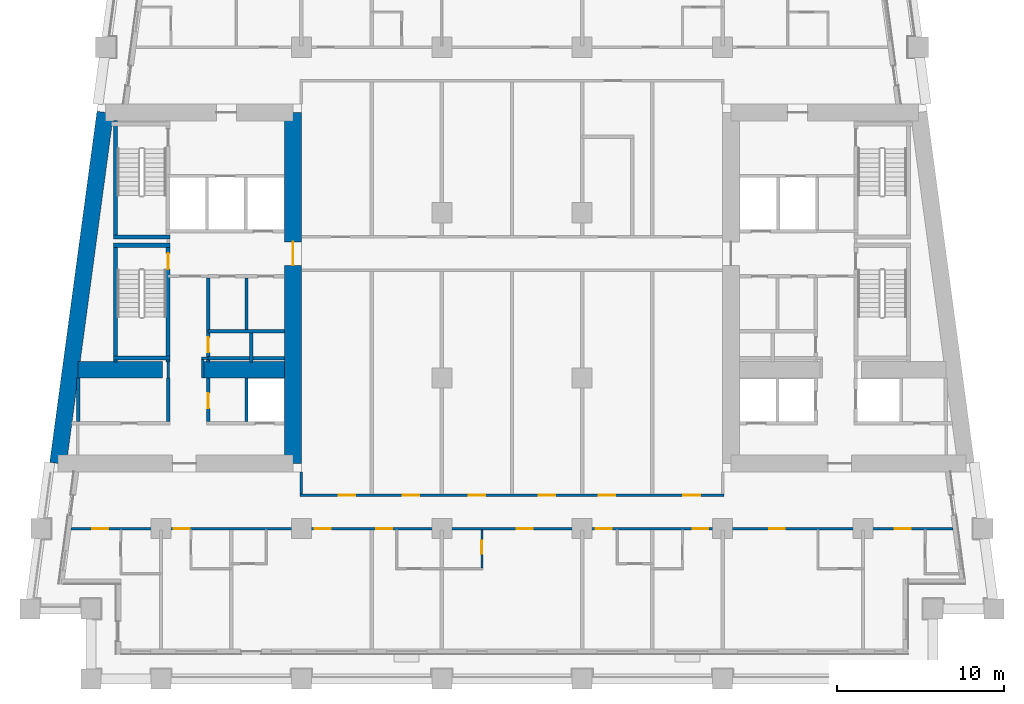
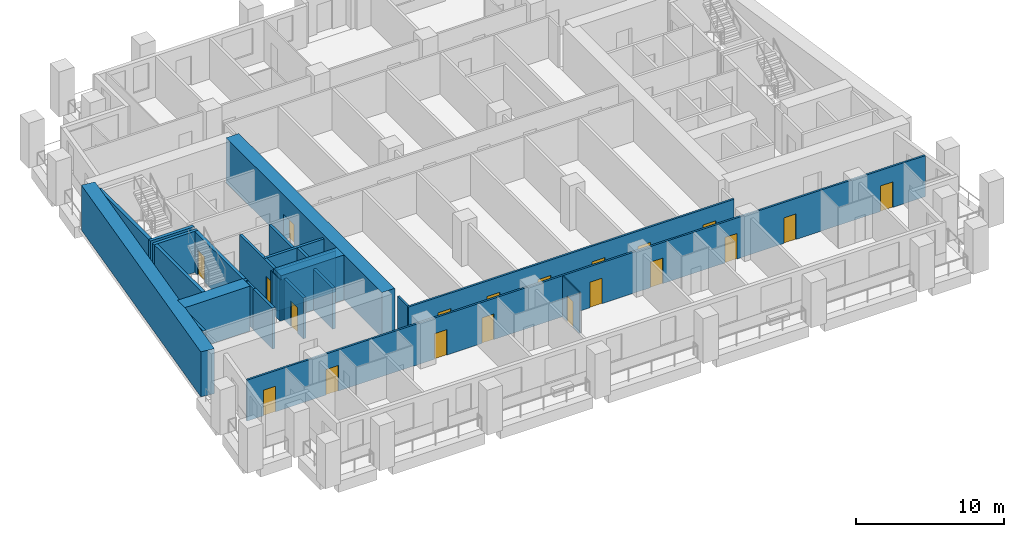
# One storey, part 3 of 13: 26 walls, 20 doors, 20 openings.
"""IFC4 building model written with IfcOpenShell, lengths in metres."""

from ifc_helpers import new_model, si_unit, direction, frame, frame_2d, origin, place, context, subcontext, project, spatial, rectangle, extrude, material, layer, layer_set, type_object, element, fill, save


model = new_model("IFC4")

# Units and contexts
model_context = context("Model", 3, precision=1e-05, world=origin(), true_north=direction((0.0, 1.0)))
body_context = subcontext(model_context, "Body", "Model", "MODEL_VIEW")
ifc_project = project(units=[si_unit("LENGTHUNIT", "METRE"), si_unit("AREAUNIT", "SQUARE_METRE"), si_unit("VOLUMEUNIT", "CUBIC_METRE"), si_unit("PLANEANGLEUNIT", "RADIAN"), si_unit("MASSUNIT", "GRAM", prefix="KILO")], contexts=[model_context])

# Site, building, storey
site_placement = place(None, origin())
site = spatial("IfcSite", under=ifc_project, at=site_placement, CompositionType="ELEMENT")
building_placement = place(site_placement, origin())
building = spatial("IfcBuilding", under=site, at=building_placement, Name="Candeia Pilgrim Tower and Theatre", CompositionType="ELEMENT")
storey_placement = place(building_placement, frame((0.0, 0.0, 102.10009765625)))
storey = spatial("IfcBuildingStorey", under=building, at=storey_placement, Name="L23", CompositionType="ELEMENT", Elevation=102.10009765625)

# Wall, opening, door
ifc_material_1 = material(Name="Concrete C70/85", Category="concrete")
ifc_layer_1 = layer(ifc_material_1, 1.0)
ifc_layer_set_1 = layer_set([ifc_layer_1], Name="Core wall 1000 C70/85")
wall_type_1 = type_object("IfcWallType", Name="Core wall 1000 C70/85", PredefinedType="SHEAR", material=ifc_layer_set_1)
wall_1_placement = place(storey_placement, frame((100.300048828125, 131.89990234375, 0.0), z_axis=(0.0, 0.0, 1.0), x_axis=(0.0, -1.0, 0.0)))
wall_1 = element("IfcWall", 1, at=wall_1_placement, inside=storey, type_object=wall_type_1, Name="Core wall W2", PredefinedType="SHEAR", context=body_context, shape_type="SweptSolid", body=[
    extrude(rectangle(XDim=21.0, YDim=1.0, at=frame_2d((10.5, 0.0))), origin(), (0.0, 0.0, 1.0), 3.699951171875),
])
opening_1_placement = place(wall_1_placement, frame((7.75, 0.0, 0.0)))
opening_1 = element("IfcOpeningElement", 2, at=opening_1_placement, cuts=wall_1, Name="Opening L23-D061", PredefinedType="OPENING", context=body_context, shape_type="SweptSolid", body=[
    extrude(rectangle(XDim=1.39990234375, YDim=2.10009765625, at=frame_2d((0.699951171875, 1.050048828125))), frame((0.0, 0.510009765625, 0.0), z_axis=(0.0, -1.0, 0.0), x_axis=(1.0, 0.0, 0.0)), (0.0, 0.0, 1.0), 1.02001953125),
])
ifc_material_2 = material(Name="Steel fire door set", Category="steel")
door_type_1 = type_object("IfcDoorType", Name="D-1400-FD60", OperationType="NOTDEFINED", PredefinedType="DOOR", material=ifc_material_2)
door_1_placement = place(opening_1_placement, origin())
door_1 = element("IfcDoor", 3, at=door_1_placement, inside=storey, type_object=door_type_1, Name="Door L23-D061", OperationType="SINGLE_SWING_RIGHT", OverallHeight=2.10009765625, OverallWidth=1.39990234375, PredefinedType="DOOR", context=body_context, shape_type="SweptSolid", body=[
    extrude(rectangle(XDim=1.39990234375, YDim=2.10009765625, at=frame_2d((0.699951171875, 1.050048828125))), frame((0.0, 0.02490234375, 0.0), z_axis=(0.0, -1.0, 0.0), x_axis=(1.0, 0.0, 0.0)), (0.0, 0.0, 1.0), 0.050048828125),
])
fill(opening_1, door_1)

# Walls
wall_2_placement = place(storey_placement, frame((86.240966796875, 110.89990234375, 0.0), z_axis=(0.0, 0.0, 1.0), x_axis=(0.133411141623, 0.991060778808, 0.0)))
element("IfcWall", 4, at=wall_2_placement, inside=storey, type_object=wall_type_1, Name="Core wall W4", PredefinedType="SHEAR", context=body_context, shape_type="SweptSolid", body=[
    extrude(rectangle(XDim=21.189453125, YDim=1.0, at=frame_2d((10.5947265625, 0.0))), origin(), (0.0, 0.0, 1.0), 3.699951171875),
])
wall_3_placement = place(storey_placement, frame((87.423095703125, 116.5, 0.0), z_axis=(0.0, 0.0, 1.0), x_axis=(1.0, 0.0, 0.0)))
element("IfcWall", 5, at=wall_3_placement, inside=storey, type_object=wall_type_1, Name="Core wall W5", PredefinedType="SHEAR", context=body_context, shape_type="SweptSolid", body=[
    extrude(rectangle(XDim=5.076904296875, YDim=1.0, at=frame_2d((2.53857421875, 0.0))), origin(), (0.0, 0.0, 1.0), 3.699951171875),
])
wall_4_placement = place(storey_placement, frame((94.89990234375, 116.5, 0.0), z_axis=(0.0, 0.0, 1.0), x_axis=(1.0, 0.0, 0.0)))
element("IfcWall", 6, at=wall_4_placement, inside=storey, type_object=wall_type_1, Name="Core wall W6", PredefinedType="SHEAR", context=body_context, shape_type="SweptSolid", body=[
    extrude(rectangle(XDim=4.900146484375, YDim=1.0, at=frame_2d((2.4501953125, 0.0))), origin(), (0.0, 0.0, 1.0), 3.699951171875),
])

# Wall, opening, door
ifc_material_3 = material(Name="Gypsum board partition on steel studs", Category="steel")
ifc_layer_2 = layer(ifc_material_3, 0.10009765625)
ifc_layer_set_2 = layer_set([ifc_layer_2], Name="PW-100 room partition")
wall_type_2 = type_object("IfcWallType", Name="PW-100 room partition", PredefinedType="PARTITIONING", material=ifc_layer_set_2)
wall_5_placement = place(storey_placement, frame((111.60009765625, 104.64990234375, 0.0), z_axis=(0.0, 0.0, 1.0), x_axis=(0.0, 1.0, 0.0)))
wall_5 = element("IfcWall", 7, at=wall_5_placement, inside=storey, type_object=wall_type_2, Name="Room partition L23-085", PredefinedType="PARTITIONING", context=body_context, shape_type="SweptSolid", body=[
    extrude(rectangle(XDim=2.275146484375, YDim=0.10009765625, at=frame_2d((1.1376953125, 0.0))), origin(), (0.0, 0.0, 1.0), 3.3798828125),
])
opening_2_placement = place(wall_5_placement, frame((0.840087890625, 0.0, 0.0)))
opening_2 = element("IfcOpeningElement", 8, at=opening_2_placement, cuts=wall_5, Name="Opening L23-D025", PredefinedType="OPENING", context=body_context, shape_type="SweptSolid", body=[
    extrude(rectangle(XDim=0.800048828125, YDim=2.10009765625, at=frame_2d((0.39990234375, 1.050048828125))), frame((0.0, 0.06005859375, 0.0), z_axis=(0.0, -1.0, 0.0), x_axis=(1.0, 0.0, 0.0)), (0.0, 0.0, 1.0), 0.1201171875),
])
ifc_material_4 = material(Name="Timber door leaf", Category="wood")
door_type_2 = type_object("IfcDoorType", Name="D-800", OperationType="NOTDEFINED", PredefinedType="DOOR", material=ifc_material_4)
door_2_placement = place(opening_2_placement, origin())
door_2 = element("IfcDoor", 9, at=door_2_placement, inside=storey, type_object=door_type_2, Name="Door L23-D025", OperationType="SINGLE_SWING_RIGHT", OverallHeight=2.10009765625, OverallWidth=0.800048828125, PredefinedType="DOOR", context=body_context, shape_type="SweptSolid", body=[
    extrude(rectangle(XDim=0.800048828125, YDim=2.10009765625, at=frame_2d((0.39990234375, 1.050048828125))), frame((0.0, 0.02490234375, 0.0), z_axis=(0.0, -1.0, 0.0), x_axis=(1.0, 0.0, 0.0)), (0.0, 0.0, 1.0), 0.050048828125),
])
fill(opening_2, door_2)

# Walls
ifc_layer_3 = layer(ifc_material_3, 0.14990234375)
ifc_layer_set_3 = layer_set([ifc_layer_3], Name="PW-150 lobby wall")
wall_type_3 = type_object("IfcWallType", Name="PW-150 lobby wall", PredefinedType="PARTITIONING", material=ifc_layer_set_3)
wall_6_placement = place(storey_placement, frame((94.824951171875, 117.199951171875, 0.0), z_axis=(0.0, 0.0, 1.0), x_axis=(1.0, 0.0, 0.0)))
element("IfcWall", 10, at=wall_6_placement, inside=storey, type_object=wall_type_3, Name="Lobby wall L23-017", PredefinedType="PARTITIONING", context=body_context, shape_type="SweptSolid", body=[
    extrude(rectangle(XDim=0.402099609375, YDim=0.14990234375, at=frame_2d((0.201171875, 0.0))), origin(), (0.0, 0.0, 1.0), 3.3798828125),
])
wall_7_placement = place(storey_placement, frame((92.826904296875, 116.0, 0.0), z_axis=(0.0, 0.0, 1.0), x_axis=(0.0, 1.0, 0.0)))
element("IfcWall", 11, at=wall_7_placement, inside=storey, type_object=wall_type_3, Name="Lobby wall L23-055", PredefinedType="PARTITIONING", context=body_context, shape_type="SweptSolid", body=[
    extrude(rectangle(XDim=0.969970703125, YDim=0.14990234375, at=frame_2d((0.48486328125, 0.0))), origin(), (0.0, 0.0, 1.0), 3.3798828125),
])
wall_8_placement = place(storey_placement, frame((94.89990234375, 116.0, 0.0), z_axis=(0.0, 0.0, 1.0), x_axis=(0.0, 1.0, 0.0)))
element("IfcWall", 12, at=wall_8_placement, inside=storey, type_object=wall_type_3, Name="Lobby wall L23-061", PredefinedType="PARTITIONING", context=body_context, shape_type="SweptSolid", body=[
    extrude(rectangle(XDim=1.125, YDim=0.14990234375, at=frame_2d((0.5625, 0.0))), origin(), (0.0, 0.0, 1.0), 3.3798828125),
])

# Wall, openings, doors
ifc_layer_4 = layer(ifc_material_3, 0.14990234375)
ifc_layer_set_4 = layer_set([ifc_layer_4], Name="PW-150 unit wall")
wall_type_4 = type_object("IfcWallType", Name="PW-150 unit wall", PredefinedType="PARTITIONING", material=ifc_layer_set_4)
wall_9_placement = place(storey_placement, frame((87.017578125, 107.0, 0.0), z_axis=(0.0, 0.0, 1.0), x_axis=(1.0, 0.0, 0.0)))
wall_9 = element("IfcWall", 13, at=wall_9_placement, inside=storey, type_object=wall_type_4, Name="Unit wall L23-009", PredefinedType="PARTITIONING", context=body_context, shape_type="SweptSolid", body=[
    extrude(rectangle(XDim=52.7646484375, YDim=0.14990234375, at=frame_2d((26.38232421875, 0.0))), origin(), (0.0, 0.0, 1.0), 3.3798828125),
])
opening_3_placement = place(wall_9_placement, frame((1.2763671875, 0.0, 0.0)))
opening_3 = element("IfcOpeningElement", 14, at=opening_3_placement, cuts=wall_9, Name="Opening L23-D016", PredefinedType="OPENING", context=body_context, shape_type="SweptSolid", body=[
    extrude(rectangle(XDim=0.949951171875, YDim=2.10009765625, at=frame_2d((0.47509765625, 1.050048828125))), frame((0.0, 0.0849609375, 0.0), z_axis=(0.0, -1.0, 0.0), x_axis=(1.0, 0.0, 0.0)), (0.0, 0.0, 1.0), 0.169921875),
])
opening_4_placement = place(wall_9_placement, frame((6.15234375, 0.0, 0.0)))
opening_4 = element("IfcOpeningElement", 15, at=opening_4_placement, cuts=wall_9, Name="Opening L23-D018", PredefinedType="OPENING", context=body_context, shape_type="SweptSolid", body=[
    extrude(rectangle(XDim=0.949951171875, YDim=2.10009765625, at=frame_2d((0.47509765625, 1.050048828125))), frame((0.0, 0.0849609375, 0.0), z_axis=(0.0, -1.0, 0.0), x_axis=(1.0, 0.0, 0.0)), (0.0, 0.0, 1.0), 0.169921875),
])
opening_5_placement = place(wall_9_placement, frame((14.59033203125, 0.0, 0.0)))
opening_5 = element("IfcOpeningElement", 16, at=opening_5_placement, cuts=wall_9, Name="Opening L23-D020", PredefinedType="OPENING", context=body_context, shape_type="SweptSolid", body=[
    extrude(rectangle(XDim=0.949951171875, YDim=2.10009765625, at=frame_2d((0.47509765625, 1.050048828125))), frame((0.0, 0.0849609375, 0.0), z_axis=(0.0, -1.0, 0.0), x_axis=(1.0, 0.0, 0.0)), (0.0, 0.0, 1.0), 0.169921875),
])
opening_6_placement = place(wall_9_placement, frame((18.25732421875, 0.0, 0.0)))
opening_6 = element("IfcOpeningElement", 17, at=opening_6_placement, cuts=wall_9, Name="Opening L23-D022", PredefinedType="OPENING", context=body_context, shape_type="SweptSolid", body=[
    extrude(rectangle(XDim=0.949951171875, YDim=2.10009765625, at=frame_2d((0.47509765625, 1.050048828125))), frame((0.0, 0.0849609375, 0.0), z_axis=(0.0, -1.0, 0.0), x_axis=(1.0, 0.0, 0.0)), (0.0, 0.0, 1.0), 0.169921875),
])
opening_7_placement = place(wall_9_placement, frame((26.67236328125, 0.0, 0.0)))
opening_7 = element("IfcOpeningElement", 18, at=opening_7_placement, cuts=wall_9, Name="Opening L23-D024", PredefinedType="OPENING", context=body_context, shape_type="SweptSolid", body=[
    extrude(rectangle(XDim=0.949951171875, YDim=2.10009765625, at=frame_2d((0.47509765625, 1.050048828125))), frame((0.0, 0.0849609375, 0.0), z_axis=(0.0, -1.0, 0.0), x_axis=(1.0, 0.0, 0.0)), (0.0, 0.0, 1.0), 0.169921875),
])
opening_8_placement = place(wall_9_placement, frame((31.392333984375, 0.0, 0.0)))
opening_8 = element("IfcOpeningElement", 19, at=opening_8_placement, cuts=wall_9, Name="Opening L23-D026", PredefinedType="OPENING", context=body_context, shape_type="SweptSolid", body=[
    extrude(rectangle(XDim=0.949951171875, YDim=2.10009765625, at=frame_2d((0.47509765625, 1.050048828125))), frame((0.0, 0.0849609375, 0.0), z_axis=(0.0, -1.0, 0.0), x_axis=(1.0, 0.0, 0.0)), (0.0, 0.0, 1.0), 0.169921875),
])
opening_9_placement = place(wall_9_placement, frame((37.182373046875, 0.0, 0.0)))
opening_9 = element("IfcOpeningElement", 20, at=opening_9_placement, cuts=wall_9, Name="Opening L23-D028", PredefinedType="OPENING", context=body_context, shape_type="SweptSolid", body=[
    extrude(rectangle(XDim=0.949951171875, YDim=2.10009765625, at=frame_2d((0.47509765625, 1.050048828125))), frame((0.0, 0.0849609375, 0.0), z_axis=(0.0, -1.0, 0.0), x_axis=(1.0, 0.0, 0.0)), (0.0, 0.0, 1.0), 0.169921875),
])
opening_10_placement = place(wall_9_placement, frame((41.76220703125, 0.0, 0.0)))
opening_10 = element("IfcOpeningElement", 21, at=opening_10_placement, cuts=wall_9, Name="Opening L23-D030", PredefinedType="OPENING", context=body_context, shape_type="SweptSolid", body=[
    extrude(rectangle(XDim=0.949951171875, YDim=2.10009765625, at=frame_2d((0.47509765625, 1.050048828125))), frame((0.0, 0.0849609375, 0.0), z_axis=(0.0, -1.0, 0.0), x_axis=(1.0, 0.0, 0.0)), (0.0, 0.0, 1.0), 0.169921875),
])
opening_11_placement = place(wall_9_placement, frame((49.285400390625, 0.0, 0.0)))
opening_11 = element("IfcOpeningElement", 22, at=opening_11_placement, cuts=wall_9, Name="Opening L23-D032", PredefinedType="OPENING", context=body_context, shape_type="SweptSolid", body=[
    extrude(rectangle(XDim=0.949951171875, YDim=2.10009765625, at=frame_2d((0.47509765625, 1.050048828125))), frame((0.0, 0.0849609375, 0.0), z_axis=(0.0, -1.0, 0.0), x_axis=(1.0, 0.0, 0.0)), (0.0, 0.0, 1.0), 0.169921875),
])
door_type_3 = type_object("IfcDoorType", Name="D-950-FD30S", OperationType="NOTDEFINED", PredefinedType="DOOR", material=ifc_material_2)
door_3_placement = place(opening_3_placement, origin())
door_3 = element("IfcDoor", 23, at=door_3_placement, inside=storey, type_object=door_type_3, Name="Door L23-D016", OperationType="SINGLE_SWING_LEFT", OverallHeight=2.10009765625, OverallWidth=0.949951171875, PredefinedType="DOOR", context=body_context, shape_type="SweptSolid", body=[
    extrude(rectangle(XDim=0.949951171875, YDim=2.10009765625, at=frame_2d((0.47509765625, 1.050048828125))), frame((0.0, 0.02490234375, 0.0), z_axis=(0.0, -1.0, 0.0), x_axis=(1.0, 0.0, 0.0)), (0.0, 0.0, 1.0), 0.050048828125),
])
fill(opening_3, door_3)
door_4_placement = place(opening_4_placement, origin())
door_4 = element("IfcDoor", 24, at=door_4_placement, inside=storey, type_object=door_type_3, Name="Door L23-D018", OperationType="SINGLE_SWING_LEFT", OverallHeight=2.10009765625, OverallWidth=0.949951171875, PredefinedType="DOOR", context=body_context, shape_type="SweptSolid", body=[
    extrude(rectangle(XDim=0.949951171875, YDim=2.10009765625, at=frame_2d((0.47509765625, 1.050048828125))), frame((0.0, 0.02490234375, 0.0), z_axis=(0.0, -1.0, 0.0), x_axis=(1.0, 0.0, 0.0)), (0.0, 0.0, 1.0), 0.050048828125),
])
fill(opening_4, door_4)
door_5_placement = place(opening_5_placement, origin())
door_5 = element("IfcDoor", 25, at=door_5_placement, inside=storey, type_object=door_type_3, Name="Door L23-D020", OperationType="SINGLE_SWING_LEFT", OverallHeight=2.10009765625, OverallWidth=0.949951171875, PredefinedType="DOOR", context=body_context, shape_type="SweptSolid", body=[
    extrude(rectangle(XDim=0.949951171875, YDim=2.10009765625, at=frame_2d((0.47509765625, 1.050048828125))), frame((0.0, 0.02490234375, 0.0), z_axis=(0.0, -1.0, 0.0), x_axis=(1.0, 0.0, 0.0)), (0.0, 0.0, 1.0), 0.050048828125),
])
fill(opening_5, door_5)
door_6_placement = place(opening_6_placement, origin())
door_6 = element("IfcDoor", 26, at=door_6_placement, inside=storey, type_object=door_type_3, Name="Door L23-D022", OperationType="SINGLE_SWING_LEFT", OverallHeight=2.10009765625, OverallWidth=0.949951171875, PredefinedType="DOOR", context=body_context, shape_type="SweptSolid", body=[
    extrude(rectangle(XDim=0.949951171875, YDim=2.10009765625, at=frame_2d((0.47509765625, 1.050048828125))), frame((0.0, 0.02490234375, 0.0), z_axis=(0.0, -1.0, 0.0), x_axis=(1.0, 0.0, 0.0)), (0.0, 0.0, 1.0), 0.050048828125),
])
fill(opening_6, door_6)
door_7_placement = place(opening_7_placement, origin())
door_7 = element("IfcDoor", 27, at=door_7_placement, inside=storey, type_object=door_type_3, Name="Door L23-D024", OperationType="SINGLE_SWING_LEFT", OverallHeight=2.10009765625, OverallWidth=0.949951171875, PredefinedType="DOOR", context=body_context, shape_type="SweptSolid", body=[
    extrude(rectangle(XDim=0.949951171875, YDim=2.10009765625, at=frame_2d((0.47509765625, 1.050048828125))), frame((0.0, 0.02490234375, 0.0), z_axis=(0.0, -1.0, 0.0), x_axis=(1.0, 0.0, 0.0)), (0.0, 0.0, 1.0), 0.050048828125),
])
fill(opening_7, door_7)
door_8_placement = place(opening_8_placement, origin())
door_8 = element("IfcDoor", 28, at=door_8_placement, inside=storey, type_object=door_type_3, Name="Door L23-D026", OperationType="SINGLE_SWING_LEFT", OverallHeight=2.10009765625, OverallWidth=0.949951171875, PredefinedType="DOOR", context=body_context, shape_type="SweptSolid", body=[
    extrude(rectangle(XDim=0.949951171875, YDim=2.10009765625, at=frame_2d((0.47509765625, 1.050048828125))), frame((0.0, 0.02490234375, 0.0), z_axis=(0.0, -1.0, 0.0), x_axis=(1.0, 0.0, 0.0)), (0.0, 0.0, 1.0), 0.050048828125),
])
fill(opening_8, door_8)
door_9_placement = place(opening_9_placement, origin())
door_9 = element("IfcDoor", 29, at=door_9_placement, inside=storey, type_object=door_type_3, Name="Door L23-D028", OperationType="SINGLE_SWING_LEFT", OverallHeight=2.10009765625, OverallWidth=0.949951171875, PredefinedType="DOOR", context=body_context, shape_type="SweptSolid", body=[
    extrude(rectangle(XDim=0.949951171875, YDim=2.10009765625, at=frame_2d((0.47509765625, 1.050048828125))), frame((0.0, 0.02490234375, 0.0), z_axis=(0.0, -1.0, 0.0), x_axis=(1.0, 0.0, 0.0)), (0.0, 0.0, 1.0), 0.050048828125),
])
fill(opening_9, door_9)
door_10_placement = place(opening_10_placement, origin())
door_10 = element("IfcDoor", 30, at=door_10_placement, inside=storey, type_object=door_type_3, Name="Door L23-D030", OperationType="SINGLE_SWING_LEFT", OverallHeight=2.10009765625, OverallWidth=0.949951171875, PredefinedType="DOOR", context=body_context, shape_type="SweptSolid", body=[
    extrude(rectangle(XDim=0.949951171875, YDim=2.10009765625, at=frame_2d((0.47509765625, 1.050048828125))), frame((0.0, 0.02490234375, 0.0), z_axis=(0.0, -1.0, 0.0), x_axis=(1.0, 0.0, 0.0)), (0.0, 0.0, 1.0), 0.050048828125),
])
fill(opening_10, door_10)
door_11_placement = place(opening_11_placement, origin())
door_11 = element("IfcDoor", 31, at=door_11_placement, inside=storey, type_object=door_type_3, Name="Door L23-D032", OperationType="SINGLE_SWING_LEFT", OverallHeight=2.10009765625, OverallWidth=0.949951171875, PredefinedType="DOOR", context=body_context, shape_type="SweptSolid", body=[
    extrude(rectangle(XDim=0.949951171875, YDim=2.10009765625, at=frame_2d((0.47509765625, 1.050048828125))), frame((0.0, 0.02490234375, 0.0), z_axis=(0.0, -1.0, 0.0), x_axis=(1.0, 0.0, 0.0)), (0.0, 0.0, 1.0), 0.050048828125),
])
fill(opening_11, door_11)

wall_10_placement = place(storey_placement, frame((100.72509765625, 109.0, 0.0), z_axis=(0.0, 0.0, 1.0), x_axis=(1.0, 0.0, 0.0)))
wall_10 = element("IfcWall", 32, at=wall_10_placement, inside=storey, type_object=wall_type_4, Name="Unit wall L23-010", PredefinedType="PARTITIONING", context=body_context, shape_type="SweptSolid", body=[
    extrude(rectangle(XDim=25.349853515625, YDim=0.14990234375, at=frame_2d((12.6748046875, 0.0))), origin(), (0.0, 0.0, 1.0), 3.3798828125),
])
opening_12_placement = place(wall_10_placement, frame((2.300048828125, 0.0, 0.0)))
opening_12 = element("IfcOpeningElement", 33, at=opening_12_placement, cuts=wall_10, Name="Opening L23-D047", PredefinedType="OPENING", context=body_context, shape_type="SweptSolid", body=[
    extrude(rectangle(XDim=1.0, YDim=2.10009765625, at=frame_2d((0.5, 1.050048828125))), frame((0.0, 0.0849609375, 0.0), z_axis=(0.0, -1.0, 0.0), x_axis=(1.0, 0.0, 0.0)), (0.0, 0.0, 1.0), 0.169921875),
])
opening_13_placement = place(wall_10_placement, frame((6.125, 0.0, 0.0)))
opening_13 = element("IfcOpeningElement", 34, at=opening_13_placement, cuts=wall_10, Name="Opening L23-D048", PredefinedType="OPENING", context=body_context, shape_type="SweptSolid", body=[
    extrude(rectangle(XDim=1.0, YDim=2.10009765625, at=frame_2d((0.5, 1.050048828125))), frame((0.0, 0.0849609375, 0.0), z_axis=(0.0, -1.0, 0.0), x_axis=(1.0, 0.0, 0.0)), (0.0, 0.0, 1.0), 0.169921875),
])
opening_14_placement = place(wall_10_placement, frame((10.074951171875, 0.0, 0.0)))
opening_14 = element("IfcOpeningElement", 35, at=opening_14_placement, cuts=wall_10, Name="Opening L23-D049", PredefinedType="OPENING", context=body_context, shape_type="SweptSolid", body=[
    extrude(rectangle(XDim=1.0, YDim=2.10009765625, at=frame_2d((0.5, 1.050048828125))), frame((0.0, 0.0849609375, 0.0), z_axis=(0.0, -1.0, 0.0), x_axis=(1.0, 0.0, 0.0)), (0.0, 0.0, 1.0), 0.169921875),
])
opening_15_placement = place(wall_10_placement, frame((14.27490234375, 0.0, 0.0)))
opening_15 = element("IfcOpeningElement", 36, at=opening_15_placement, cuts=wall_10, Name="Opening L23-D050", PredefinedType="OPENING", context=body_context, shape_type="SweptSolid", body=[
    extrude(rectangle(XDim=1.0, YDim=2.10009765625, at=frame_2d((0.5, 1.050048828125))), frame((0.0, 0.0849609375, 0.0), z_axis=(0.0, -1.0, 0.0), x_axis=(1.0, 0.0, 0.0)), (0.0, 0.0, 1.0), 0.169921875),
])
opening_16_placement = place(wall_10_placement, frame((17.85009765625, 0.0, 0.0)))
opening_16 = element("IfcOpeningElement", 37, at=opening_16_placement, cuts=wall_10, Name="Opening L23-D051", PredefinedType="OPENING", context=body_context, shape_type="SweptSolid", body=[
    extrude(rectangle(XDim=1.0, YDim=2.10009765625, at=frame_2d((0.5, 1.050048828125))), frame((0.0, 0.0849609375, 0.0), z_axis=(0.0, -1.0, 0.0), x_axis=(1.0, 0.0, 0.0)), (0.0, 0.0, 1.0), 0.169921875),
])
opening_17_placement = place(wall_10_placement, frame((22.925048828125, 0.0, 0.0)))
opening_17 = element("IfcOpeningElement", 38, at=opening_17_placement, cuts=wall_10, Name="Opening L23-D052", PredefinedType="OPENING", context=body_context, shape_type="SweptSolid", body=[
    extrude(rectangle(XDim=1.0, YDim=2.10009765625, at=frame_2d((0.5, 1.050048828125))), frame((0.0, 0.0849609375, 0.0), z_axis=(0.0, -1.0, 0.0), x_axis=(1.0, 0.0, 0.0)), (0.0, 0.0, 1.0), 0.169921875),
])
door_type_4 = type_object("IfcDoorType", Name="D-1000-FD30S", OperationType="NOTDEFINED", PredefinedType="DOOR", material=ifc_material_2)
door_12_placement = place(opening_12_placement, origin())
door_12 = element("IfcDoor", 39, at=door_12_placement, inside=storey, type_object=door_type_4, Name="Door L23-D047", OperationType="SINGLE_SWING_RIGHT", OverallHeight=2.10009765625, OverallWidth=1.0, PredefinedType="DOOR", context=body_context, shape_type="SweptSolid", body=[
    extrude(rectangle(XDim=1.0, YDim=2.10009765625, at=frame_2d((0.5, 1.050048828125))), frame((0.0, 0.02490234375, 0.0), z_axis=(0.0, -1.0, 0.0), x_axis=(1.0, 0.0, 0.0)), (0.0, 0.0, 1.0), 0.050048828125),
])
fill(opening_12, door_12)
door_13_placement = place(opening_13_placement, origin())
door_13 = element("IfcDoor", 40, at=door_13_placement, inside=storey, type_object=door_type_4, Name="Door L23-D048", OperationType="SINGLE_SWING_LEFT", OverallHeight=2.10009765625, OverallWidth=1.0, PredefinedType="DOOR", context=body_context, shape_type="SweptSolid", body=[
    extrude(rectangle(XDim=1.0, YDim=2.10009765625, at=frame_2d((0.5, 1.050048828125))), frame((0.0, 0.02490234375, 0.0), z_axis=(0.0, -1.0, 0.0), x_axis=(1.0, 0.0, 0.0)), (0.0, 0.0, 1.0), 0.050048828125),
])
fill(opening_13, door_13)
door_14_placement = place(opening_14_placement, origin())
door_14 = element("IfcDoor", 41, at=door_14_placement, inside=storey, type_object=door_type_4, Name="Door L23-D049", OperationType="SINGLE_SWING_RIGHT", OverallHeight=2.10009765625, OverallWidth=1.0, PredefinedType="DOOR", context=body_context, shape_type="SweptSolid", body=[
    extrude(rectangle(XDim=1.0, YDim=2.10009765625, at=frame_2d((0.5, 1.050048828125))), frame((0.0, 0.02490234375, 0.0), z_axis=(0.0, -1.0, 0.0), x_axis=(1.0, 0.0, 0.0)), (0.0, 0.0, 1.0), 0.050048828125),
])
fill(opening_14, door_14)
door_15_placement = place(opening_15_placement, origin())
door_15 = element("IfcDoor", 42, at=door_15_placement, inside=storey, type_object=door_type_4, Name="Door L23-D050", OperationType="SINGLE_SWING_LEFT", OverallHeight=2.10009765625, OverallWidth=1.0, PredefinedType="DOOR", context=body_context, shape_type="SweptSolid", body=[
    extrude(rectangle(XDim=1.0, YDim=2.10009765625, at=frame_2d((0.5, 1.050048828125))), frame((0.0, 0.02490234375, 0.0), z_axis=(0.0, -1.0, 0.0), x_axis=(1.0, 0.0, 0.0)), (0.0, 0.0, 1.0), 0.050048828125),
])
fill(opening_15, door_15)
door_16_placement = place(opening_16_placement, origin())
door_16 = element("IfcDoor", 43, at=door_16_placement, inside=storey, type_object=door_type_4, Name="Door L23-D051", OperationType="SINGLE_SWING_RIGHT", OverallHeight=2.10009765625, OverallWidth=1.0, PredefinedType="DOOR", context=body_context, shape_type="SweptSolid", body=[
    extrude(rectangle(XDim=1.0, YDim=2.10009765625, at=frame_2d((0.5, 1.050048828125))), frame((0.0, 0.02490234375, 0.0), z_axis=(0.0, -1.0, 0.0), x_axis=(1.0, 0.0, 0.0)), (0.0, 0.0, 1.0), 0.050048828125),
])
fill(opening_16, door_16)
door_17_placement = place(opening_17_placement, origin())
door_17 = element("IfcDoor", 44, at=door_17_placement, inside=storey, type_object=door_type_4, Name="Door L23-D052", OperationType="SINGLE_SWING_LEFT", OverallHeight=2.10009765625, OverallWidth=1.0, PredefinedType="DOOR", context=body_context, shape_type="SweptSolid", body=[
    extrude(rectangle(XDim=1.0, YDim=2.10009765625, at=frame_2d((0.5, 1.050048828125))), frame((0.0, 0.02490234375, 0.0), z_axis=(0.0, -1.0, 0.0), x_axis=(1.0, 0.0, 0.0)), (0.0, 0.0, 1.0), 0.050048828125),
])
fill(opening_17, door_17)

# Walls
wall_11_placement = place(storey_placement, frame((100.800048828125, 109.074951171875, 0.0), z_axis=(0.0, 0.0, 1.0), x_axis=(0.0, 1.0, 0.0)))
element("IfcWall", 45, at=wall_11_placement, inside=storey, type_object=wall_type_4, Name="Unit wall L23-073", PredefinedType="PARTITIONING", context=body_context, shape_type="SweptSolid", body=[
    extrude(rectangle(XDim=1.324951171875, YDim=0.14990234375, at=frame_2d((0.66259765625, 0.0))), origin(), (0.0, 0.0, 1.0), 3.3798828125),
])
ifc_material_5 = material(Name="Concrete C40/50", Category="concrete")
ifc_layer_5 = layer(ifc_material_5, 0.199951171875)
ifc_layer_set_5 = layer_set([ifc_layer_5], Name="SW-200 shaft wall")
wall_type_5 = type_object("IfcWallType", Name="SW-200 shaft wall", PredefinedType="PARTITIONING", material=ifc_layer_set_5)
for number, where, z_axis, x_axis, name in (
    (46, (95.22705078125, 117.199951171875, 0.0), (0.0, 0.0, 1.0), (1.0, 0.0, 0.0), "Shaft wall L23-015"),
    (47, (95.22705078125, 118.800048828125, 0.0), (0.0, 0.0, 1.0), (1.0, 0.0, 0.0), "Shaft wall L23-021"),
):
    element("IfcWall", number, at=place(storey_placement, frame(where, z_axis=z_axis, x_axis=x_axis)), inside=storey, type_object=wall_type_5, Name=name, PredefinedType="PARTITIONING", context=body_context, shape_type="SweptSolid", body=[
        extrude(rectangle(XDim=4.572998046875, YDim=0.199951171875, at=frame_2d((2.28662109375, 0.0))), origin(), (0.0, 0.0, 1.0), 3.3798828125),
    ])
for number, where, z_axis, x_axis, name in (
    (48, (87.451171875, 113.39990234375, 0.0), (0.0, 0.0, 1.0), (0.0, 1.0, 0.0), "Shaft wall L23-048"),
    (49, (92.826904296875, 113.39990234375, 0.0), (0.0, 0.0, 1.0), (0.0, 1.0, 0.0), "Shaft wall L23-054"),
):
    element("IfcWall", number, at=place(storey_placement, frame(where, z_axis=z_axis, x_axis=x_axis)), inside=storey, type_object=wall_type_5, Name=name, PredefinedType="PARTITIONING", context=body_context, shape_type="SweptSolid", body=[
        extrude(rectangle(XDim=2.60009765625, YDim=0.199951171875, at=frame_2d((1.300048828125, 0.0))), origin(), (0.0, 0.0, 1.0), 3.3798828125),
    ])

# Wall, opening, door
wall_12_placement = place(storey_placement, frame((95.22705078125, 113.39990234375, 0.0), z_axis=(0.0, 0.0, 1.0), x_axis=(0.0, 1.0, 0.0)))
wall_12 = element("IfcWall", 50, at=wall_12_placement, inside=storey, type_object=wall_type_5, Name="Shaft wall L23-063", PredefinedType="PARTITIONING", context=body_context, shape_type="SweptSolid", body=[
    extrude(rectangle(XDim=2.60009765625, YDim=0.199951171875, at=frame_2d((1.300048828125, 0.0))), origin(), (0.0, 0.0, 1.0), 3.3798828125),
])
opening_18_placement = place(wall_12_placement, frame((0.800048828125, 0.0, 0.0)))
opening_18 = element("IfcOpeningElement", 51, at=opening_18_placement, cuts=wall_12, Name="Opening L23-D008", PredefinedType="OPENING", context=body_context, shape_type="SweptSolid", body=[
    extrude(rectangle(XDim=0.89990234375, YDim=2.10009765625, at=frame_2d((0.449951171875, 1.050048828125))), frame((0.0, 0.10986328125, 0.0), z_axis=(0.0, -1.0, 0.0), x_axis=(1.0, 0.0, 0.0)), (0.0, 0.0, 1.0), 0.219970703125),
])
door_type_5 = type_object("IfcDoorType", Name="D-900-FD60", OperationType="NOTDEFINED", PredefinedType="DOOR", material=ifc_material_2)
door_18_placement = place(opening_18_placement, origin())
door_18 = element("IfcDoor", 52, at=door_18_placement, inside=storey, type_object=door_type_5, Name="Door L23-D008", OperationType="SINGLE_SWING_RIGHT", OverallHeight=2.10009765625, OverallWidth=0.89990234375, PredefinedType="DOOR", context=body_context, shape_type="SweptSolid", body=[
    extrude(rectangle(XDim=0.89990234375, YDim=2.10009765625, at=frame_2d((0.449951171875, 1.050048828125))), frame((0.0, 0.02490234375, 0.0), z_axis=(0.0, -1.0, 0.0), x_axis=(1.0, 0.0, 0.0)), (0.0, 0.0, 1.0), 0.050048828125),
])
fill(opening_18, door_18)

wall_13_placement = place(storey_placement, frame((95.22705078125, 116.969970703125, 0.0), z_axis=(0.0, 0.0, 1.0), x_axis=(0.0, 1.0, 0.0)))
wall_13 = element("IfcWall", 53, at=wall_13_placement, inside=storey, type_object=wall_type_5, Name="Shaft wall L23-064", PredefinedType="PARTITIONING", context=body_context, shape_type="SweptSolid", body=[
    extrude(rectangle(XDim=5.030029296875, YDim=0.199951171875, at=frame_2d((2.51513671875, 0.0))), origin(), (0.0, 0.0, 1.0), 3.3798828125),
])
opening_19_placement = place(wall_13_placement, frame((0.580078125, 0.0, 0.0)))
opening_19 = element("IfcOpeningElement", 54, at=opening_19_placement, cuts=wall_13, Name="Opening L23-D006", PredefinedType="OPENING", context=body_context, shape_type="SweptSolid", body=[
    extrude(rectangle(XDim=0.89990234375, YDim=2.10009765625, at=frame_2d((0.449951171875, 1.050048828125))), frame((0.0, 0.10986328125, 0.0), z_axis=(0.0, -1.0, 0.0), x_axis=(1.0, 0.0, 0.0)), (0.0, 0.0, 1.0), 0.219970703125),
])
door_19_placement = place(opening_19_placement, origin())
door_19 = element("IfcDoor", 55, at=door_19_placement, inside=storey, type_object=door_type_5, Name="Door L23-D006", OperationType="SINGLE_SWING_LEFT", OverallHeight=2.10009765625, OverallWidth=0.89990234375, PredefinedType="DOOR", context=body_context, shape_type="SweptSolid", body=[
    extrude(rectangle(XDim=0.89990234375, YDim=2.10009765625, at=frame_2d((0.449951171875, 1.050048828125))), frame((0.0, 0.02490234375, 0.0), z_axis=(0.0, -1.0, 0.0), x_axis=(1.0, 0.0, 0.0)), (0.0, 0.0, 1.0), 0.050048828125),
])
fill(opening_19, door_19)

# Walls
wall_14_placement = place(storey_placement, frame((97.513427734375, 113.39990234375, 0.0), z_axis=(0.0, 0.0, 1.0), x_axis=(0.0, 1.0, 0.0)))
element("IfcWall", 56, at=wall_14_placement, inside=storey, type_object=wall_type_5, Name="Shaft wall L23-068", PredefinedType="PARTITIONING", context=body_context, shape_type="SweptSolid", body=[
    extrude(rectangle(XDim=2.60009765625, YDim=0.199951171875, at=frame_2d((1.300048828125, 0.0))), origin(), (0.0, 0.0, 1.0), 3.3798828125),
])
wall_15_placement = place(storey_placement, frame((97.513427734375, 118.89990234375, 0.0), z_axis=(0.0, 0.0, 1.0), x_axis=(0.0, 1.0, 0.0)))
element("IfcWall", 57, at=wall_15_placement, inside=storey, type_object=wall_type_5, Name="Shaft wall L23-069", PredefinedType="PARTITIONING", context=body_context, shape_type="SweptSolid", body=[
    extrude(rectangle(XDim=3.10009765625, YDim=0.199951171875, at=frame_2d((1.550048828125, 0.0))), origin(), (0.0, 0.0, 1.0), 3.3798828125),
])
wall_16_placement = place(storey_placement, frame((97.800048828125, 116.969970703125, 0.0), z_axis=(0.0, 0.0, 1.0), x_axis=(0.0, 1.0, 0.0)))
element("IfcWall", 58, at=wall_16_placement, inside=storey, type_object=wall_type_5, Name="Shaft wall L23-070", PredefinedType="PARTITIONING", context=body_context, shape_type="SweptSolid", body=[
    extrude(rectangle(XDim=1.72998046875, YDim=0.199951171875, at=frame_2d((0.864990234375, 0.0))), origin(), (0.0, 0.0, 1.0), 3.3798828125),
])
ifc_layer_6 = layer(ifc_material_5, 0.25)
ifc_layer_set_6 = layer_set([ifc_layer_6], Name="SW-250 stair wall")
wall_type_6 = type_object("IfcWallType", Name="SW-250 stair wall", PredefinedType="PARTITIONING", material=ifc_layer_set_6)
for number, where, z_axis, x_axis, name in (
    (59, (89.552001953125, 117.199951171875, 0.0), (0.0, 0.0, 1.0), (1.0, 0.0, 0.0), "Stair wall L23-019"),
    (60, (89.552001953125, 123.949951171875, 0.0), (0.0, 0.0, 1.0), (1.0, 0.0, 0.0), "Stair wall L23-028"),
    (61, (89.552001953125, 124.449951171875, 0.0), (0.0, 0.0, 1.0), (1.0, 0.0, 0.0), "Stair wall L23-030"),
):
    element("IfcWall", number, at=place(storey_placement, frame(where, z_axis=z_axis, x_axis=x_axis)), inside=storey, type_object=wall_type_6, Name=name, PredefinedType="PARTITIONING", context=body_context, shape_type="SweptSolid", body=[
        extrude(rectangle(XDim=3.39990234375, YDim=0.25, at=frame_2d((1.699951171875, 0.0))), origin(), (0.0, 0.0, 1.0), 3.3798828125),
    ])
for number, where, z_axis, x_axis, name in (
    (62, (89.677001953125, 116.969970703125, 0.0), (0.0, 0.0, 1.0), (0.0, 1.0, 0.0), "Stair wall L23-050"),
    (63, (89.677001953125, 124.574951171875, 0.0), (0.0, 0.0, 1.0), (0.0, 1.0, 0.0), "Stair wall L23-051"),
):
    element("IfcWall", number, at=place(storey_placement, frame(where, z_axis=z_axis, x_axis=x_axis)), inside=storey, type_object=wall_type_6, Name=name, PredefinedType="PARTITIONING", context=body_context, shape_type="SweptSolid", body=[
        extrude(rectangle(XDim=6.85498046875, YDim=0.25, at=frame_2d((3.427490234375, 0.0))), origin(), (0.0, 0.0, 1.0), 3.3798828125),
    ])

# Wall, opening, door
wall_17_placement = place(storey_placement, frame((92.826904296875, 116.969970703125, 0.0), z_axis=(0.0, 0.0, 1.0), x_axis=(0.0, 1.0, 0.0)))
wall_17 = element("IfcWall", 64, at=wall_17_placement, inside=storey, type_object=wall_type_6, Name="Stair wall L23-057", PredefinedType="PARTITIONING", context=body_context, shape_type="SweptSolid", body=[
    extrude(rectangle(XDim=6.85498046875, YDim=0.25, at=frame_2d((3.427490234375, 0.0))), origin(), (0.0, 0.0, 1.0), 3.3798828125),
])
opening_20_placement = place(wall_17_placement, frame((5.554931640625, 0.0, 0.0)))
opening_20 = element("IfcOpeningElement", 65, at=opening_20_placement, cuts=wall_17, Name="Opening L23-D004", PredefinedType="OPENING", context=body_context, shape_type="SweptSolid", body=[
    extrude(rectangle(XDim=0.949951171875, YDim=2.10009765625, at=frame_2d((0.47509765625, 1.050048828125))), frame((0.0, 0.135009765625, 0.0), z_axis=(0.0, -1.0, 0.0), x_axis=(1.0, 0.0, 0.0)), (0.0, 0.0, 1.0), 0.27001953125),
])
door_type_6 = type_object("IfcDoorType", Name="D-950-FD60", OperationType="NOTDEFINED", PredefinedType="DOOR", material=ifc_material_2)
door_20_placement = place(opening_20_placement, origin())
door_20 = element("IfcDoor", 66, at=door_20_placement, inside=storey, type_object=door_type_6, Name="Door L23-D004", OperationType="SINGLE_SWING_LEFT", OverallHeight=2.10009765625, OverallWidth=0.949951171875, PredefinedType="DOOR", context=body_context, shape_type="SweptSolid", body=[
    extrude(rectangle(XDim=0.949951171875, YDim=2.10009765625, at=frame_2d((0.47509765625, 1.050048828125))), frame((0.0, 0.02490234375, 0.0), z_axis=(0.0, -1.0, 0.0), x_axis=(1.0, 0.0, 0.0)), (0.0, 0.0, 1.0), 0.050048828125),
])
fill(opening_20, door_20)

save(model, "model.ifc")
